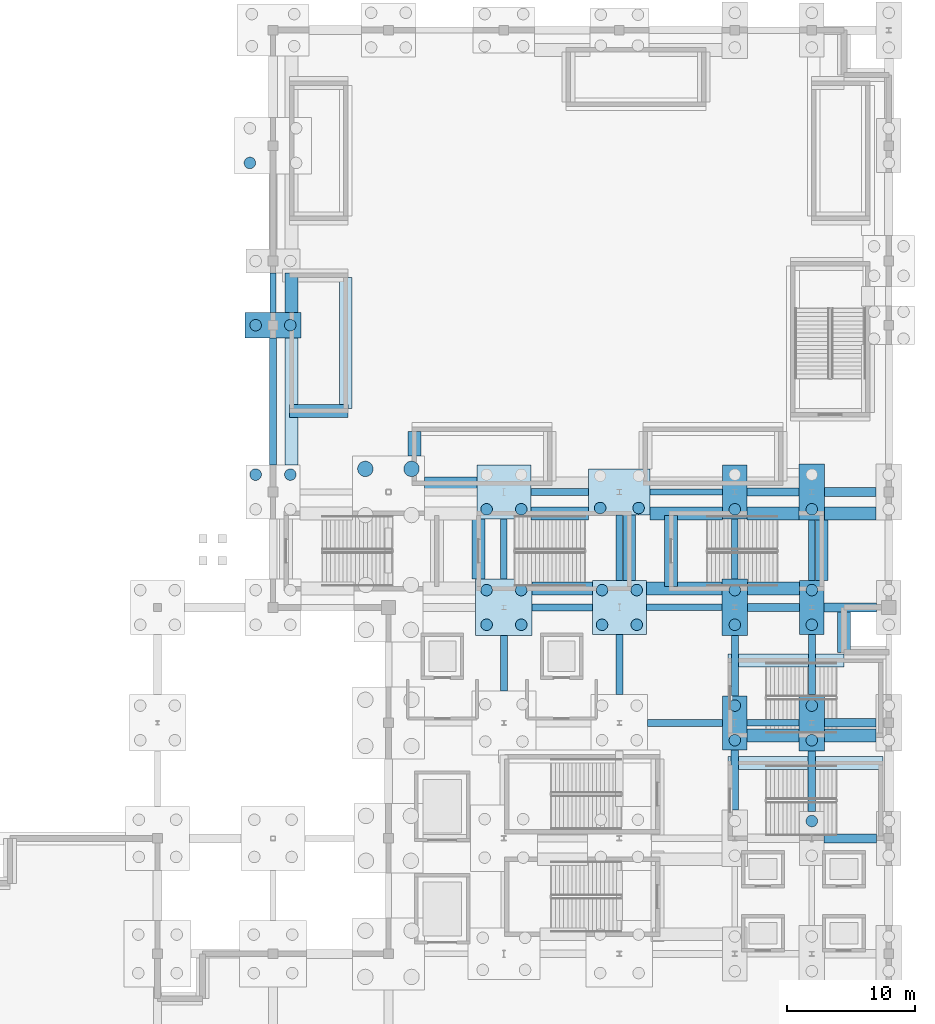
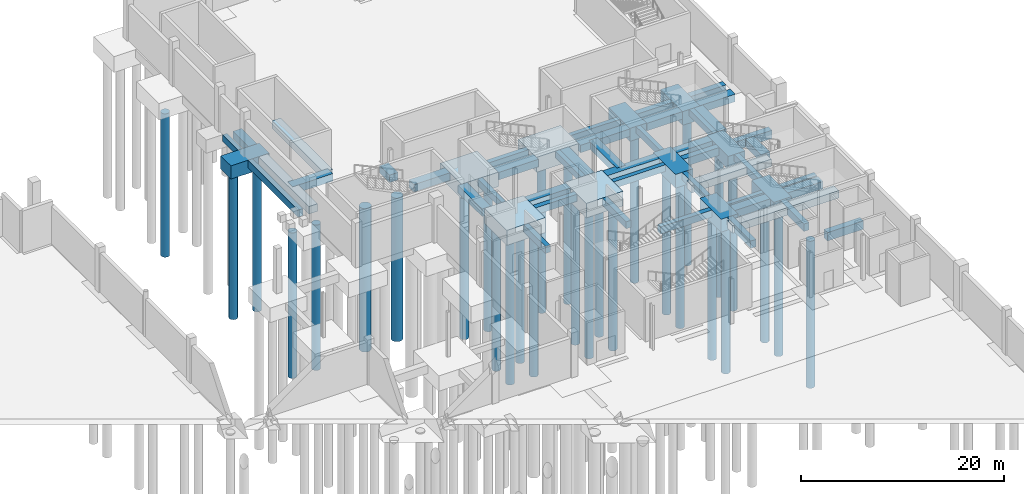
# One storey, part 9 of 58: 57 footings, 30 piles.
"""IFC4 building model written with IfcOpenShell, lengths in metres."""

from ifc_helpers import new_model, si_unit, direction, frame, origin, origin_2d, place, context, subcontext, project, spatial, rectangle, circle, extrude, material, material_profile, profile_set, type_object, element, save


model = new_model("IFC4")

# Units and contexts
model_context = context("Model", 3, precision=1e-05, world=origin(), true_north=direction((0.0, 1.0)))
body_context = subcontext(model_context, "Body", "Model", "MODEL_VIEW")
ifc_project = project(units=[si_unit("LENGTHUNIT", "METRE"), si_unit("AREAUNIT", "SQUARE_METRE"), si_unit("VOLUMEUNIT", "CUBIC_METRE"), si_unit("PLANEANGLEUNIT", "RADIAN"), si_unit("MASSUNIT", "GRAM", prefix="KILO")], contexts=[model_context])

# Site, building, storey
site_placement = place(None, origin())
site = spatial("IfcSite", under=ifc_project, at=site_placement, CompositionType="ELEMENT")
building_placement = place(site_placement, origin())
building = spatial("IfcBuilding", under=site, at=building_placement, Name="Qamarlyn Nura Convention Centre", CompositionType="ELEMENT")
storey_placement = place(building_placement, frame((0.0, 0.0, -5.39990234375)))
storey = spatial("IfcBuildingStorey", under=building, at=storey_placement, Name="B01", CompositionType="ELEMENT", Elevation=-5.39990234375)

# Footings
ifc_material = material(Name="Concrete C40/50", Category="concrete")
ifc_material_profile_1 = material_profile(ifc_material, rectangle(XDim=0.5, YDim=0.800048828125, at=origin_2d()), Name="RC GB 500x800")
ifc_profile_set_1 = profile_set([ifc_material_profile_1], Name="Concrete C40/50")
footing_type_1 = type_object("IfcFootingType", Name="GB-500X800", PredefinedType="FOOTING_BEAM", material=ifc_profile_set_1)
footing_1_placement = place(storey_placement, frame((180.949951171875, 72.0, -0.400146484375), z_axis=(1.0, 0.0, 0.0), x_axis=(0.0, 1.0, 0.0)))
element("IfcFooting", 1, at=footing_1_placement, inside=storey, type_object=footing_type_1, Name="Ground tie beam J 16-17", PredefinedType="FOOTING_BEAM", context=body_context, shape_type="SweptSolid", body=[
    extrude(rectangle(XDim=0.5, YDim=0.800048828125, at=origin_2d()), origin(), (0.0, 0.0, 1.0), 4.050048828125),
])
footing_2_placement = place(storey_placement, frame((173.10009765625, 81.0, -0.400146484375), z_axis=(1.0, 0.0, 0.0), x_axis=(0.0, 1.0, 0.0)))
element("IfcFooting", 2, at=footing_2_placement, inside=storey, type_object=footing_type_1, Name="Ground tie beam K 15-16", PredefinedType="FOOTING_BEAM", context=body_context, shape_type="SweptSolid", body=[
    extrude(rectangle(XDim=0.5, YDim=0.800048828125, at=origin_2d()), origin(), (0.0, 0.0, 1.0), 5.89990234375),
])
footing_3_placement = place(storey_placement, frame((173.39990234375, 90.0, -0.400146484375), z_axis=(1.0, 0.0, 0.0), x_axis=(0.0, 1.0, 0.0)))
element("IfcFooting", 3, at=footing_3_placement, inside=storey, type_object=footing_type_1, Name="Ground tie beam L 15-16", PredefinedType="FOOTING_BEAM", context=body_context, shape_type="SweptSolid", body=[
    extrude(rectangle(XDim=0.5, YDim=0.800048828125, at=origin_2d()), origin(), (0.0, 0.0, 1.0), 5.650146484375),
])
footing_4_placement = place(storey_placement, frame((144.0, 104.0, -0.400146484375), z_axis=(0.0, 1.0, 0.0), x_axis=(-1.0, 0.0, 0.0)))
element("IfcFooting", 4, at=footing_4_placement, inside=storey, type_object=footing_type_1, Name="Ground tie beam 12 M-N", PredefinedType="FOOTING_BEAM", context=body_context, shape_type="SweptSolid", body=[
    extrude(rectangle(XDim=0.5, YDim=0.800048828125, at=origin_2d()), origin(), (0.0, 0.0, 1.0), 3.050048828125),
])
footing_5_placement = place(storey_placement, frame((162.0, 83.199951171875, -0.400146484375), z_axis=(0.0, 1.0, 0.0), x_axis=(-1.0, 0.0, 0.0)))
element("IfcFooting", 5, at=footing_5_placement, inside=storey, type_object=footing_type_1, Name="Ground tie beam 14 K-L", PredefinedType="FOOTING_BEAM", context=body_context, shape_type="SweptSolid", body=[
    extrude(rectangle(XDim=0.5, YDim=0.800048828125, at=origin_2d()), origin(), (0.0, 0.0, 1.0), 4.699951171875),
])
footing_6_placement = place(storey_placement, frame((171.0, 83.10009765625, -0.400146484375), z_axis=(0.0, 1.0, 0.0), x_axis=(-1.0, 0.0, 0.0)))
element("IfcFooting", 6, at=footing_6_placement, inside=storey, type_object=footing_type_1, Name="Ground tie beam 15 K-L", PredefinedType="FOOTING_BEAM", context=body_context, shape_type="SweptSolid", body=[
    extrude(rectangle(XDim=0.5, YDim=0.800048828125, at=origin_2d()), origin(), (0.0, 0.0, 1.0), 5.099853515625),
])
for number, where, z_axis, x_axis, name in (
    (7, (180.0, 83.199951171875, -0.400146484375), (0.0, 1.0, 0.0), (-1.0, 0.0, 0.0), "Ground tie beam 16 K-L"),
    (8, (186.0, 83.10009765625, -0.400146484375), (0.0, 1.0, 0.0), (-1.0, 0.0, 0.0), "Ground tie beam 17 K-L"),
):
    element("IfcFooting", number, at=place(storey_placement, frame(where, z_axis=z_axis, x_axis=x_axis)), inside=storey, type_object=footing_type_1, Name=name, PredefinedType="FOOTING_BEAM", context=body_context, shape_type="SweptSolid", body=[
        extrude(rectangle(XDim=0.5, YDim=0.800048828125, at=origin_2d()), origin(), (0.0, 0.0, 1.0), 4.699951171875),
    ])
ifc_material_profile_2 = material_profile(ifc_material, rectangle(XDim=0.550048828125, YDim=0.85009765625, at=origin_2d()), Name="RC GB 550x850")
ifc_profile_set_2 = profile_set([ifc_material_profile_2], Name="Concrete C40/50")
footing_type_2 = type_object("IfcFootingType", Name="GB-550X850", PredefinedType="FOOTING_BEAM", material=ifc_profile_set_2)
footing_7_placement = place(storey_placement, frame((173.199951171875, 72.0, -0.425048828125), z_axis=(1.0, 0.0, 0.0), x_axis=(0.0, 1.0, 0.0)))
element("IfcFooting", 9, at=footing_7_placement, inside=storey, type_object=footing_type_2, Name="Ground tie beam J 15-16", PredefinedType="FOOTING_BEAM", context=body_context, shape_type="SweptSolid", body=[
    extrude(rectangle(XDim=0.550048828125, YDim=0.85009765625, at=origin_2d()), origin(), (0.0, 0.0, 1.0), 5.85009765625),
])
footing_8_placement = place(storey_placement, frame((164.199951171875, 81.0, -0.425048828125), z_axis=(1.0, 0.0, 0.0), x_axis=(0.0, 1.0, 0.0)))
element("IfcFooting", 10, at=footing_8_placement, inside=storey, type_object=footing_type_2, Name="Ground tie beam K 14-15", PredefinedType="FOOTING_BEAM", context=body_context, shape_type="SweptSolid", body=[
    extrude(rectangle(XDim=0.550048828125, YDim=0.85009765625, at=origin_2d()), origin(), (0.0, 0.0, 1.0), 4.699951171875),
])
footing_9_placement = place(storey_placement, frame((164.10009765625, 90.0, -0.425048828125), z_axis=(1.0, 0.0, 0.0), x_axis=(0.0, 1.0, 0.0)))
element("IfcFooting", 11, at=footing_9_placement, inside=storey, type_object=footing_type_2, Name="Ground tie beam L 14-15", PredefinedType="FOOTING_BEAM", context=body_context, shape_type="SweptSolid", body=[
    extrude(rectangle(XDim=0.550048828125, YDim=0.85009765625, at=origin_2d()), origin(), (0.0, 0.0, 1.0), 4.5),
])
footing_10_placement = place(storey_placement, frame((144.0, 92.10009765625, -0.425048828125), z_axis=(0.0, 1.0, 0.0), x_axis=(-1.0, 0.0, 0.0)))
element("IfcFooting", 12, at=footing_10_placement, inside=storey, type_object=footing_type_2, Name="Ground tie beam 12 L-M", PredefinedType="FOOTING_BEAM", context=body_context, shape_type="SweptSolid", body=[
    extrude(rectangle(XDim=0.550048828125, YDim=0.85009765625, at=origin_2d()), origin(), (0.0, 0.0, 1.0), 9.89990234375),
])
footing_11_placement = place(storey_placement, frame((162.0, 74.5, -0.425048828125), z_axis=(0.0, 1.0, 0.0), x_axis=(-1.0, 0.0, 0.0)))
element("IfcFooting", 13, at=footing_11_placement, inside=storey, type_object=footing_type_2, Name="Ground tie beam 14 J-K", PredefinedType="FOOTING_BEAM", context=body_context, shape_type="SweptSolid", body=[
    extrude(rectangle(XDim=0.550048828125, YDim=0.85009765625, at=origin_2d()), origin(), (0.0, 0.0, 1.0), 4.300048828125),
])
for number, where, z_axis, x_axis, name in (
    (14, (171.0, 74.199951171875, -0.425048828125), (0.0, 1.0, 0.0), (-1.0, 0.0, 0.0), "Ground tie beam 15 J-K"),
    (15, (180.0, 74.10009765625, -0.425048828125), (0.0, 1.0, 0.0), (-1.0, 0.0, 0.0), "Ground tie beam 16 J-K"),
    (16, (186.0, 74.199951171875, -0.425048828125), (0.0, 1.0, 0.0), (-1.0, 0.0, 0.0), "Ground tie beam 17 J-K"),
):
    element("IfcFooting", number, at=place(storey_placement, frame(where, z_axis=z_axis, x_axis=x_axis)), inside=storey, type_object=footing_type_2, Name=name, PredefinedType="FOOTING_BEAM", context=body_context, shape_type="SweptSolid", body=[
        extrude(rectangle(XDim=0.550048828125, YDim=0.85009765625, at=origin_2d()), origin(), (0.0, 0.0, 1.0), 4.699951171875),
    ])
ifc_material_profile_3 = material_profile(ifc_material, rectangle(XDim=0.60009765625, YDim=0.89990234375, at=origin_2d()), Name="RC GB 600x900")
ifc_profile_set_3 = profile_set([ifc_material_profile_3], Name="Concrete C40/50")
footing_type_3 = type_object("IfcFootingType", Name="GB-600X900", PredefinedType="FOOTING_BEAM", material=ifc_profile_set_3)
for number, where, z_axis, x_axis, name in (
    (17, (180.0, 65.199951171875, -0.4501953125), (0.0, 1.0, 0.0), (-1.0, 0.0, 0.0), "Ground tie beam 16 H-J"),
    (18, (186.0, 65.10009765625, -0.4501953125), (0.0, 1.0, 0.0), (-1.0, 0.0, 0.0), "Ground tie beam 17 H-J"),
):
    element("IfcFooting", number, at=place(storey_placement, frame(where, z_axis=z_axis, x_axis=x_axis)), inside=storey, type_object=footing_type_3, Name=name, PredefinedType="FOOTING_BEAM", context=body_context, shape_type="SweptSolid", body=[
        extrude(rectangle(XDim=0.60009765625, YDim=0.89990234375, at=origin_2d()), origin(), (0.0, 0.0, 1.0), 4.699951171875),
    ])
ifc_material_profile_4 = material_profile(ifc_material, rectangle(XDim=0.64990234375, YDim=0.949951171875, at=origin_2d()), Name="RC GB 650x950")
ifc_profile_set_4 = profile_set([ifc_material_profile_4], Name="Concrete C40/50")
footing_type_4 = type_object("IfcFootingType", Name="GB-650X950", PredefinedType="FOOTING_BEAM", material=ifc_profile_set_4)
footing_12_placement = place(storey_placement, frame((187.0, 72.0, -0.47509765625), z_axis=(1.0, 0.0, 0.0), x_axis=(0.0, 1.0, 0.0)))
element("IfcFooting", 19, at=footing_12_placement, inside=storey, type_object=footing_type_4, Name="Ground tie beam J 17-18", PredefinedType="FOOTING_BEAM", context=body_context, shape_type="SweptSolid", body=[
    extrude(rectangle(XDim=0.64990234375, YDim=0.949951171875, at=origin_2d()), origin(), (0.0, 0.0, 1.0), 4.0),
])
for number, where, z_axis, x_axis, name in (
    (20, (181.0, 81.0, -0.47509765625), (1.0, 0.0, 0.0), (0.0, 1.0, 0.0), "Ground tie beam K 16-17"),
    (21, (180.949951171875, 90.0, -0.47509765625), (1.0, 0.0, 0.0), (0.0, 1.0, 0.0), "Ground tie beam L 16-17"),
):
    element("IfcFooting", number, at=place(storey_placement, frame(where, z_axis=z_axis, x_axis=x_axis)), inside=storey, type_object=footing_type_4, Name=name, PredefinedType="FOOTING_BEAM", context=body_context, shape_type="SweptSolid", body=[
        extrude(rectangle(XDim=0.64990234375, YDim=0.949951171875, at=origin_2d()), origin(), (0.0, 0.0, 1.0), 4.050048828125),
    ])
ifc_material_profile_5 = material_profile(ifc_material, rectangle(XDim=0.699951171875, YDim=1.0, at=origin_2d()), Name="RC GB 700x1000")
ifc_profile_set_5 = profile_set([ifc_material_profile_5], Name="Concrete C40/50")
footing_type_5 = type_object("IfcFootingType", Name="GB-700X1000", PredefinedType="FOOTING_BEAM", material=ifc_profile_set_5)
for number, where, z_axis, x_axis, name in (
    (22, (186.949951171875, 63.0, -0.5), (1.0, 0.0, 0.0), (0.0, 1.0, 0.0), "Ground tie beam H 17-18"),
    (23, (186.949951171875, 81.0, -0.5), (1.0, 0.0, 0.0), (0.0, 1.0, 0.0), "Ground tie beam K 17-18"),
):
    element("IfcFooting", number, at=place(storey_placement, frame(where, z_axis=z_axis, x_axis=x_axis)), inside=storey, type_object=footing_type_5, Name=name, PredefinedType="FOOTING_BEAM", context=body_context, shape_type="SweptSolid", body=[
        extrude(rectangle(XDim=0.699951171875, YDim=1.0, at=origin_2d()), origin(), (0.0, 0.0, 1.0), 4.10009765625),
    ])
footing_13_placement = place(storey_placement, frame((187.0, 90.0, -0.5), z_axis=(1.0, 0.0, 0.0), x_axis=(0.0, 1.0, 0.0)))
element("IfcFooting", 24, at=footing_13_placement, inside=storey, type_object=footing_type_5, Name="Ground tie beam L 17-18", PredefinedType="FOOTING_BEAM", context=body_context, shape_type="SweptSolid", body=[
    extrude(rectangle(XDim=0.699951171875, YDim=1.0, at=origin_2d()), origin(), (0.0, 0.0, 1.0), 4.0),
])
footing_type_6 = type_object("IfcFootingType", Name="PC-PAIR-19X42", PredefinedType="PILE_CAP", material=ifc_material)
for number, where, z_axis, x_axis, name in (
    (25, (180.0, 72.0, -1.55029296875), (0.0, 0.0, 1.0), (1.0, 0.0, 0.0), "Pile cap CAP-16-J"),
    (26, (180.0, 90.0, -1.55029296875), (0.0, 0.0, 1.0), (1.0, 0.0, 0.0), "Pile cap CAP-16-L"),
    (27, (186.0, 81.0, -1.55029296875), (0.0, 0.0, 1.0), (1.0, 0.0, 0.0), "Pile cap CAP-17-K"),
):
    element("IfcFooting", number, at=place(storey_placement, frame(where, z_axis=z_axis, x_axis=x_axis)), inside=storey, type_object=footing_type_6, Name=name, PredefinedType="PILE_CAP", context=body_context, shape_type="SweptSolid", body=[
        extrude(rectangle(XDim=1.89990234375, YDim=4.199951171875, at=origin_2d()), origin(), (0.0, 0.0, 1.0), 1.550048828125),
    ])
footing_type_7 = type_object("IfcFootingType", Name="PC-PAIR-20X44", PredefinedType="PILE_CAP", material=ifc_material)
for number, where, z_axis, x_axis, name in (
    (28, (180.0, 81.0, -1.650146484375), (0.0, 0.0, 1.0), (1.0, 0.0, 0.0), "Pile cap CAP-16-K"),
    (29, (186.0, 72.0, -1.650146484375), (0.0, 0.0, 1.0), (1.0, 0.0, 0.0), "Pile cap CAP-17-J"),
    (30, (186.0, 90.0, -1.650146484375), (0.0, 0.0, 1.0), (1.0, 0.0, 0.0), "Pile cap CAP-17-L"),
):
    element("IfcFooting", number, at=place(storey_placement, frame(where, z_axis=z_axis, x_axis=x_axis)), inside=storey, type_object=footing_type_7, Name=name, PredefinedType="PILE_CAP", context=body_context, shape_type="SweptSolid", body=[
        extrude(rectangle(XDim=2.0, YDim=4.39990234375, at=origin_2d()), origin(), (0.0, 0.0, 1.0), 1.64990234375),
    ])
footing_type_8 = type_object("IfcFootingType", Name="PC-PAIR-44X20", PredefinedType="PILE_CAP", material=ifc_material)
footing_14_placement = place(storey_placement, frame((144.0, 103.0, -1.60009765625), z_axis=(0.0, 0.0, 1.0), x_axis=(1.0, 0.0, 0.0)))
element("IfcFooting", 31, at=footing_14_placement, inside=storey, type_object=footing_type_8, Name="Pile cap CAP-12-M", PredefinedType="PILE_CAP", context=body_context, shape_type="SweptSolid", body=[
    extrude(rectangle(XDim=4.39990234375, YDim=2.0, at=origin_2d()), origin(), (0.0, 0.0, 1.0), 1.60009765625),
])
footing_type_9 = type_object("IfcFootingType", Name="PC-RECT-48X36", PredefinedType="PILE_CAP", material=ifc_material)
footing_15_placement = place(storey_placement, frame((171.0, 90.0, -1.80029296875), z_axis=(0.0, 0.0, 1.0), x_axis=(1.0, 0.0, 0.0)))
element("IfcFooting", 32, at=footing_15_placement, inside=storey, type_object=footing_type_9, Name="Pile cap CAP-15-L", PredefinedType="PILE_CAP", context=body_context, shape_type="SweptSolid", body=[
    extrude(rectangle(XDim=4.800048828125, YDim=3.60009765625, at=origin_2d()), origin(), (0.0, 0.0, 1.0), 1.800048828125),
])
footing_type_10 = type_object("IfcFootingType", Name="PC-WING-42", PredefinedType="PILE_CAP", material=ifc_material)
for number, where, z_axis, x_axis, name in (
    (33, (162.0, 90.0, -1.75), (0.0, 0.0, 1.0), (1.0, 0.0, 0.0), "Pile cap CAP-14-L"),
    (34, (171.0, 81.0, -1.75), (0.0, 0.0, 1.0), (1.0, 0.0, 0.0), "Pile cap CAP-15-K"),
):
    element("IfcFooting", number, at=place(storey_placement, frame(where, z_axis=z_axis, x_axis=x_axis)), inside=storey, type_object=footing_type_10, Name=name, PredefinedType="PILE_CAP", context=body_context, shape_type="SweptSolid", body=[
        extrude(rectangle(XDim=4.199951171875, YDim=4.199951171875, at=origin_2d()), origin(), (0.0, 0.0, 1.0), 1.75),
    ])
footing_type_11 = type_object("IfcFootingType", Name="PC-WING-44", PredefinedType="PILE_CAP", material=ifc_material)
footing_16_placement = place(storey_placement, frame((162.0, 81.0, -1.80029296875), z_axis=(0.0, 0.0, 1.0), x_axis=(1.0, 0.0, 0.0)))
element("IfcFooting", 35, at=footing_16_placement, inside=storey, type_object=footing_type_11, Name="Pile cap CAP-14-K", PredefinedType="PILE_CAP", context=body_context, shape_type="SweptSolid", body=[
    extrude(rectangle(XDim=4.39990234375, YDim=4.39990234375, at=origin_2d()), origin(), (0.0, 0.0, 1.0), 1.800048828125),
])

# Piles
ifc_material_profile_6 = material_profile(ifc_material, circle(Radius=0.60009765625, at=origin_2d()), Name="BORED PILE 1200")
ifc_profile_set_6 = profile_set([ifc_material_profile_6], Name="Concrete C40/50")
pile_type_1 = type_object("IfcPileType", Name="PILE-1200", PredefinedType="BORED", material=ifc_profile_set_6)
for number, where, z_axis, x_axis, name in (
    (36, (151.199951171875, 91.800048828125, -1.85009765625), (0.0, 0.0, -1.0), (1.0, 0.0, 0.0), "Bored pile PILE-13-L-3"),
    (37, (154.800048828125, 91.800048828125, -1.85009765625), (0.0, 0.0, -1.0), (1.0, 0.0, 0.0), "Bored pile PILE-13-L-4"),
):
    element("IfcPile", number, at=place(storey_placement, frame(where, z_axis=z_axis, x_axis=x_axis)), inside=storey, type_object=pile_type_1, Name=name, PredefinedType="BORED", context=body_context, shape_type="SweptSolid", body=[
        extrude(circle(Radius=0.60009765625, at=origin_2d()), origin(), (0.0, 0.0, 1.0), 17.25),
    ])
ifc_material_profile_7 = material_profile(ifc_material, circle(Radius=0.449951171875, at=origin_2d()), Name="BORED PILE 900")
ifc_profile_set_7 = profile_set([ifc_material_profile_7], Name="Concrete C40/50")
pile_type_2 = type_object("IfcPileType", Name="PILE-900", PredefinedType="BORED", material=ifc_profile_set_7)
for number, where, z_axis, x_axis, name in (
    (38, (142.64990234375, 91.35009765625, -1.60009765625), (0.0, 0.0, -1.0), (1.0, 0.0, 0.0), "Bored pile PILE-12-L-3"),
    (39, (145.35009765625, 91.35009765625, -1.60009765625), (0.0, 0.0, -1.0), (1.0, 0.0, 0.0), "Bored pile PILE-12-L-4"),
):
    element("IfcPile", number, at=place(storey_placement, frame(where, z_axis=z_axis, x_axis=x_axis)), inside=storey, type_object=pile_type_2, Name=name, PredefinedType="BORED", context=body_context, shape_type="SweptSolid", body=[
        extrude(circle(Radius=0.449951171875, at=origin_2d()), origin(), (0.0, 0.0, 1.0), 17.5),
    ])
for number, where, z_axis, x_axis, name in (
    (40, (142.64990234375, 103.0, -1.4501953125), (0.0, 0.0, -1.0), (1.0, 0.0, 0.0), "Bored pile PILE-12-M-1"),
    (41, (145.35009765625, 103.0, -1.4501953125), (0.0, 0.0, -1.0), (1.0, 0.0, 0.0), "Bored pile PILE-12-M-2"),
):
    element("IfcPile", number, at=place(storey_placement, frame(where, z_axis=z_axis, x_axis=x_axis)), inside=storey, type_object=pile_type_2, Name=name, PredefinedType="BORED", context=body_context, shape_type="SweptSolid", body=[
        extrude(circle(Radius=0.449951171875, at=origin_2d()), origin(), (0.0, 0.0, 1.0), 17.64990234375),
    ])
pile_1_placement = place(storey_placement, frame((142.199951171875, 115.64990234375, -1.85009765625), z_axis=(0.0, 0.0, -1.0), x_axis=(1.0, 0.0, 0.0)))
element("IfcPile", 42, at=pile_1_placement, inside=storey, type_object=pile_type_2, Name="Bored pile PILE-12-P-1", PredefinedType="BORED", context=body_context, shape_type="SweptSolid", body=[
    extrude(circle(Radius=0.449951171875, at=origin_2d()), origin(), (0.0, 0.0, 1.0), 17.25),
])
for number, where, z_axis, x_axis, name in (
    (43, (160.64990234375, 79.64990234375, -1.650146484375), (0.0, 0.0, -1.0), (1.0, 0.0, 0.0), "Bored pile PILE-14-K-1"),
    (44, (163.35009765625, 79.64990234375, -1.650146484375), (0.0, 0.0, -1.0), (1.0, 0.0, 0.0), "Bored pile PILE-14-K-2"),
    (45, (160.64990234375, 82.35009765625, -1.650146484375), (0.0, 0.0, -1.0), (1.0, 0.0, 0.0), "Bored pile PILE-14-K-3"),
    (46, (163.35009765625, 82.35009765625, -1.650146484375), (0.0, 0.0, -1.0), (1.0, 0.0, 0.0), "Bored pile PILE-14-K-4"),
):
    element("IfcPile", number, at=place(storey_placement, frame(where, z_axis=z_axis, x_axis=x_axis)), inside=storey, type_object=pile_type_2, Name=name, PredefinedType="BORED", context=body_context, shape_type="SweptSolid", body=[
        extrude(circle(Radius=0.449951171875, at=origin_2d()), origin(), (0.0, 0.0, 1.0), 17.449951171875),
    ])
for number, where, z_axis, x_axis, name in (
    (47, (160.64990234375, 88.64990234375, -1.60009765625), (0.0, 0.0, -1.0), (1.0, 0.0, 0.0), "Bored pile PILE-14-L-1"),
    (48, (163.35009765625, 88.64990234375, -1.60009765625), (0.0, 0.0, -1.0), (1.0, 0.0, 0.0), "Bored pile PILE-14-L-2"),
    (49, (169.64990234375, 79.64990234375, -1.60009765625), (0.0, 0.0, -1.0), (1.0, 0.0, 0.0), "Bored pile PILE-15-K-1"),
    (50, (172.35009765625, 79.64990234375, -1.60009765625), (0.0, 0.0, -1.0), (1.0, 0.0, 0.0), "Bored pile PILE-15-K-2"),
    (51, (169.64990234375, 82.35009765625, -1.60009765625), (0.0, 0.0, -1.0), (1.0, 0.0, 0.0), "Bored pile PILE-15-K-3"),
    (52, (172.35009765625, 82.35009765625, -1.60009765625), (0.0, 0.0, -1.0), (1.0, 0.0, 0.0), "Bored pile PILE-15-K-4"),
):
    element("IfcPile", number, at=place(storey_placement, frame(where, z_axis=z_axis, x_axis=x_axis)), inside=storey, type_object=pile_type_2, Name=name, PredefinedType="BORED", context=body_context, shape_type="SweptSolid", body=[
        extrude(circle(Radius=0.449951171875, at=origin_2d()), origin(), (0.0, 0.0, 1.0), 17.5),
    ])
for number, where, z_axis, x_axis, name in (
    (53, (169.5, 88.75, -1.650146484375), (0.0, 0.0, -1.0), (1.0, 0.0, 0.0), "Bored pile PILE-15-L-1"),
    (54, (172.5, 88.75, -1.650146484375), (0.0, 0.0, -1.0), (1.0, 0.0, 0.0), "Bored pile PILE-15-L-2"),
):
    element("IfcPile", number, at=place(storey_placement, frame(where, z_axis=z_axis, x_axis=x_axis)), inside=storey, type_object=pile_type_2, Name=name, PredefinedType="BORED", context=body_context, shape_type="SweptSolid", body=[
        extrude(circle(Radius=0.449951171875, at=origin_2d()), origin(), (0.0, 0.0, 1.0), 17.449951171875),
    ])
for number, where, z_axis, x_axis, name in (
    (55, (180.0, 70.64990234375, -1.400146484375), (0.0, 0.0, -1.0), (1.0, 0.0, 0.0), "Bored pile PILE-16-J-1"),
    (56, (180.0, 73.35009765625, -1.400146484375), (0.0, 0.0, -1.0), (1.0, 0.0, 0.0), "Bored pile PILE-16-J-2"),
):
    element("IfcPile", number, at=place(storey_placement, frame(where, z_axis=z_axis, x_axis=x_axis)), inside=storey, type_object=pile_type_2, Name=name, PredefinedType="BORED", context=body_context, shape_type="SweptSolid", body=[
        extrude(circle(Radius=0.449951171875, at=origin_2d()), origin(), (0.0, 0.0, 1.0), 17.699951171875),
    ])
for number, where, z_axis, x_axis, name in (
    (57, (180.0, 79.64990234375, -1.5), (0.0, 0.0, -1.0), (1.0, 0.0, 0.0), "Bored pile PILE-16-K-1"),
    (58, (180.0, 82.35009765625, -1.5), (0.0, 0.0, -1.0), (1.0, 0.0, 0.0), "Bored pile PILE-16-K-2"),
):
    element("IfcPile", number, at=place(storey_placement, frame(where, z_axis=z_axis, x_axis=x_axis)), inside=storey, type_object=pile_type_2, Name=name, PredefinedType="BORED", context=body_context, shape_type="SweptSolid", body=[
        extrude(circle(Radius=0.449951171875, at=origin_2d()), origin(), (0.0, 0.0, 1.0), 17.60009765625),
    ])
for number, where, z_axis, x_axis, name in (
    (59, (180.0, 88.64990234375, -1.400146484375), (0.0, 0.0, -1.0), (1.0, 0.0, 0.0), "Bored pile PILE-16-L-1"),
    (60, (186.0, 64.35009765625, -1.400146484375), (0.0, 0.0, -1.0), (1.0, 0.0, 0.0), "Bored pile PILE-17-H-2"),
):
    element("IfcPile", number, at=place(storey_placement, frame(where, z_axis=z_axis, x_axis=x_axis)), inside=storey, type_object=pile_type_2, Name=name, PredefinedType="BORED", context=body_context, shape_type="SweptSolid", body=[
        extrude(circle(Radius=0.449951171875, at=origin_2d()), origin(), (0.0, 0.0, 1.0), 17.699951171875),
    ])
for number, where, z_axis, x_axis, name in (
    (61, (186.0, 70.64990234375, -1.5), (0.0, 0.0, -1.0), (1.0, 0.0, 0.0), "Bored pile PILE-17-J-1"),
    (62, (186.0, 73.35009765625, -1.5), (0.0, 0.0, -1.0), (1.0, 0.0, 0.0), "Bored pile PILE-17-J-2"),
):
    element("IfcPile", number, at=place(storey_placement, frame(where, z_axis=z_axis, x_axis=x_axis)), inside=storey, type_object=pile_type_2, Name=name, PredefinedType="BORED", context=body_context, shape_type="SweptSolid", body=[
        extrude(circle(Radius=0.449951171875, at=origin_2d()), origin(), (0.0, 0.0, 1.0), 17.60009765625),
    ])
for number, where, z_axis, x_axis, name in (
    (63, (186.0, 79.64990234375, -1.400146484375), (0.0, 0.0, -1.0), (1.0, 0.0, 0.0), "Bored pile PILE-17-K-1"),
    (64, (186.0, 82.35009765625, -1.400146484375), (0.0, 0.0, -1.0), (1.0, 0.0, 0.0), "Bored pile PILE-17-K-2"),
):
    element("IfcPile", number, at=place(storey_placement, frame(where, z_axis=z_axis, x_axis=x_axis)), inside=storey, type_object=pile_type_2, Name=name, PredefinedType="BORED", context=body_context, shape_type="SweptSolid", body=[
        extrude(circle(Radius=0.449951171875, at=origin_2d()), origin(), (0.0, 0.0, 1.0), 17.699951171875),
    ])
pile_2_placement = place(storey_placement, frame((186.0, 88.64990234375, -1.5), z_axis=(0.0, 0.0, -1.0), x_axis=(1.0, 0.0, 0.0)))
element("IfcPile", 65, at=pile_2_placement, inside=storey, type_object=pile_type_2, Name="Bored pile PILE-17-L-1", PredefinedType="BORED", context=body_context, shape_type="SweptSolid", body=[
    extrude(circle(Radius=0.449951171875, at=origin_2d()), origin(), (0.0, 0.0, 1.0), 17.60009765625),
])

# Footings
ifc_material_profile_8 = material_profile(ifc_material, rectangle(XDim=1.0, YDim=0.89990234375, at=origin_2d()), Name="RC STRIP 1000x900")
ifc_profile_set_8 = profile_set([ifc_material_profile_8], Name="Concrete C40/50")
footing_type_12 = type_object("IfcFootingType", Name="SF-WALL-1000", PredefinedType="STRIP_FOOTING", material=ifc_profile_set_8)
footing_17_placement = place(storey_placement, frame((188.5, 81.0, -0.4501953125), z_axis=(0.0, -1.0, 0.0), x_axis=(1.0, 0.0, 0.0)))
element("IfcFooting", 66, at=footing_17_placement, inside=storey, type_object=footing_type_12, Name="Strip footing WRET-B01-67-1", PredefinedType="STRIP_FOOTING", context=body_context, shape_type="SweptSolid", body=[
    extrude(rectangle(XDim=1.0, YDim=0.89990234375, at=origin_2d()), origin(), (0.0, 0.0, 1.0), 3.5),
])
footing_18_placement = place(storey_placement, frame((191.550048828125, 68.875, -0.4501953125), z_axis=(-1.0, 0.0, 0.0), x_axis=(0.0, -1.0, 0.0)))
element("IfcFooting", 67, at=footing_18_placement, inside=storey, type_object=footing_type_12, Name="Strip footing WST-ST-13-B01-N-1", PredefinedType="STRIP_FOOTING", context=body_context, shape_type="SweptSolid", body=[
    extrude(rectangle(XDim=1.0, YDim=0.89990234375, at=origin_2d()), origin(), (0.0, 0.0, 1.0), 12.10009765625),
])
footing_19_placement = place(storey_placement, frame((180.949951171875, 71.02490234375, -0.4501953125), z_axis=(1.0, 0.0, 0.0), x_axis=(0.0, 1.0, 0.0)))
element("IfcFooting", 68, at=footing_19_placement, inside=storey, type_object=footing_type_12, Name="Strip footing WST-ST-14-B01-S-1", PredefinedType="STRIP_FOOTING", context=body_context, shape_type="SweptSolid", body=[
    extrude(rectangle(XDim=1.0, YDim=0.89990234375, at=origin_2d()), origin(), (0.0, 0.0, 1.0), 4.050048828125),
])
footing_20_placement = place(storey_placement, frame((187.0, 71.02490234375, -0.4501953125), z_axis=(1.0, 0.0, 0.0), x_axis=(0.0, 1.0, 0.0)))
element("IfcFooting", 69, at=footing_20_placement, inside=storey, type_object=footing_type_12, Name="Strip footing WST-ST-14-B01-S-2", PredefinedType="STRIP_FOOTING", context=body_context, shape_type="SweptSolid", body=[
    extrude(rectangle(XDim=1.0, YDim=0.89990234375, at=origin_2d()), origin(), (0.0, 0.0, 1.0), 4.0),
])
footing_21_placement = place(storey_placement, frame((188.5, 76.875, -0.4501953125), z_axis=(-1.0, 0.0, 0.0), x_axis=(0.0, -1.0, 0.0)))
element("IfcFooting", 70, at=footing_21_placement, inside=storey, type_object=footing_type_12, Name="Strip footing WST-ST-14-B01-N-1", PredefinedType="STRIP_FOOTING", context=body_context, shape_type="SweptSolid", body=[
    extrude(rectangle(XDim=1.0, YDim=0.89990234375, at=origin_2d()), origin(), (0.0, 0.0, 1.0), 9.050048828125),
])
footing_22_placement = place(storey_placement, frame((164.199951171875, 82.47509765625, -0.4501953125), z_axis=(1.0, 0.0, 0.0), x_axis=(0.0, 1.0, 0.0)))
element("IfcFooting", 71, at=footing_22_placement, inside=storey, type_object=footing_type_12, Name="Strip footing WST-ST-16-B01-S-1", PredefinedType="STRIP_FOOTING", context=body_context, shape_type="SweptSolid", body=[
    extrude(rectangle(XDim=1.0, YDim=0.89990234375, at=origin_2d()), origin(), (0.0, 0.0, 1.0), 4.699951171875),
])
footing_23_placement = place(storey_placement, frame((168.60009765625, 88.324951171875, -0.4501953125), z_axis=(-1.0, 0.0, 0.0), x_axis=(0.0, -1.0, 0.0)))
element("IfcFooting", 72, at=footing_23_placement, inside=storey, type_object=footing_type_12, Name="Strip footing WST-ST-16-B01-N-1", PredefinedType="STRIP_FOOTING", context=body_context, shape_type="SweptSolid", body=[
    extrude(rectangle(XDim=1.0, YDim=0.89990234375, at=origin_2d()), origin(), (0.0, 0.0, 1.0), 4.5),
])
footing_24_placement = place(storey_placement, frame((160.02490234375, 87.89990234375, -0.4501953125), z_axis=(0.0, -1.0, 0.0), x_axis=(1.0, 0.0, 0.0)))
element("IfcFooting", 73, at=footing_24_placement, inside=storey, type_object=footing_type_12, Name="Strip footing WST-ST-16-B01-W-1", PredefinedType="STRIP_FOOTING", context=body_context, shape_type="SweptSolid", body=[
    extrude(rectangle(XDim=1.0, YDim=0.89990234375, at=origin_2d()), origin(), (0.0, 0.0, 1.0), 4.699951171875),
])
footing_25_placement = place(storey_placement, frame((171.77490234375, 83.10009765625, -0.4501953125), z_axis=(0.0, 1.0, 0.0), x_axis=(-1.0, 0.0, 0.0)))
element("IfcFooting", 74, at=footing_25_placement, inside=storey, type_object=footing_type_12, Name="Strip footing WST-ST-16-B01-E-1", PredefinedType="STRIP_FOOTING", context=body_context, shape_type="SweptSolid", body=[
    extrude(rectangle(XDim=1.0, YDim=0.89990234375, at=origin_2d()), origin(), (0.0, 0.0, 1.0), 5.099853515625),
])
footing_26_placement = place(storey_placement, frame((173.10009765625, 82.47509765625, -0.4501953125), z_axis=(1.0, 0.0, 0.0), x_axis=(0.0, 1.0, 0.0)))
element("IfcFooting", 75, at=footing_26_placement, inside=storey, type_object=footing_type_12, Name="Strip footing WST-ST-17-B01-S-1", PredefinedType="STRIP_FOOTING", context=body_context, shape_type="SweptSolid", body=[
    extrude(rectangle(XDim=1.0, YDim=0.89990234375, at=origin_2d()), origin(), (0.0, 0.0, 1.0), 5.89990234375),
])
footing_27_placement = place(storey_placement, frame((181.0, 82.47509765625, -0.4501953125), z_axis=(1.0, 0.0, 0.0), x_axis=(0.0, 1.0, 0.0)))
element("IfcFooting", 76, at=footing_27_placement, inside=storey, type_object=footing_type_12, Name="Strip footing WST-ST-17-B01-S-2", PredefinedType="STRIP_FOOTING", context=body_context, shape_type="SweptSolid", body=[
    extrude(rectangle(XDim=1.0, YDim=0.89990234375, at=origin_2d()), origin(), (0.0, 0.0, 1.0), 4.050048828125),
])
footing_28_placement = place(storey_placement, frame((191.0, 88.324951171875, -0.4501953125), z_axis=(-1.0, 0.0, 0.0), x_axis=(0.0, -1.0, 0.0)))
element("IfcFooting", 77, at=footing_28_placement, inside=storey, type_object=footing_type_12, Name="Strip footing WST-ST-17-B01-N-1", PredefinedType="STRIP_FOOTING", context=body_context, shape_type="SweptSolid", body=[
    extrude(rectangle(XDim=1.0, YDim=0.89990234375, at=origin_2d()), origin(), (0.0, 0.0, 1.0), 4.0),
])
footing_29_placement = place(storey_placement, frame((185.0, 88.324951171875, -0.4501953125), z_axis=(-1.0, 0.0, 0.0), x_axis=(0.0, -1.0, 0.0)))
element("IfcFooting", 78, at=footing_29_placement, inside=storey, type_object=footing_type_12, Name="Strip footing WST-ST-17-B01-N-2", PredefinedType="STRIP_FOOTING", context=body_context, shape_type="SweptSolid", body=[
    extrude(rectangle(XDim=1.0, YDim=0.89990234375, at=origin_2d()), origin(), (0.0, 0.0, 1.0), 4.050048828125),
])
footing_30_placement = place(storey_placement, frame((179.050048828125, 88.324951171875, -0.4501953125), z_axis=(-1.0, 0.0, 0.0), x_axis=(0.0, -1.0, 0.0)))
element("IfcFooting", 79, at=footing_30_placement, inside=storey, type_object=footing_type_12, Name="Strip footing WST-ST-17-B01-N-3", PredefinedType="STRIP_FOOTING", context=body_context, shape_type="SweptSolid", body=[
    extrude(rectangle(XDim=1.0, YDim=0.89990234375, at=origin_2d()), origin(), (0.0, 0.0, 1.0), 5.650146484375),
])
footing_31_placement = place(storey_placement, frame((175.02490234375, 88.14990234375, -0.4501953125), z_axis=(0.0, -1.0, 0.0), x_axis=(1.0, 0.0, 0.0)))
element("IfcFooting", 80, at=footing_31_placement, inside=storey, type_object=footing_type_12, Name="Strip footing WST-ST-17-B01-W-1", PredefinedType="STRIP_FOOTING", context=body_context, shape_type="SweptSolid", body=[
    extrude(rectangle(XDim=1.0, YDim=0.89990234375, at=origin_2d()), origin(), (0.0, 0.0, 1.0), 5.5),
])
footing_32_placement = place(storey_placement, frame((186.77490234375, 83.10009765625, -0.4501953125), z_axis=(0.0, 1.0, 0.0), x_axis=(-1.0, 0.0, 0.0)))
element("IfcFooting", 81, at=footing_32_placement, inside=storey, type_object=footing_type_12, Name="Strip footing WST-ST-17-B01-E-1", PredefinedType="STRIP_FOOTING", context=body_context, shape_type="SweptSolid", body=[
    extrude(rectangle(XDim=1.0, YDim=0.89990234375, at=origin_2d()), origin(), (0.0, 0.0, 1.0), 4.699951171875),
])
footing_33_placement = place(storey_placement, frame((145.27001953125, 96.324951171875, -0.4501953125), z_axis=(1.0, 0.0, 0.0), x_axis=(0.0, 1.0, 0.0)))
element("IfcFooting", 82, at=footing_33_placement, inside=storey, type_object=footing_type_12, Name="Strip footing WST-ST-VOM1-B01-S-1", PredefinedType="STRIP_FOOTING", context=body_context, shape_type="SweptSolid", body=[
    extrude(rectangle(XDim=1.0, YDim=0.89990234375, at=origin_2d()), origin(), (0.0, 0.0, 1.0), 4.580078125),
])
footing_34_placement = place(storey_placement, frame((145.445068359375, 107.050048828125, -0.4501953125), z_axis=(0.0, -1.0, 0.0), x_axis=(1.0, 0.0, 0.0)))
element("IfcFooting", 83, at=footing_34_placement, inside=storey, type_object=footing_type_12, Name="Strip footing WST-ST-VOM1-B01-W-1", PredefinedType="STRIP_FOOTING", context=body_context, shape_type="SweptSolid", body=[
    extrude(rectangle(XDim=1.0, YDim=0.89990234375, at=origin_2d()), origin(), (0.0, 0.0, 1.0), 3.050048828125),
])
footing_35_placement = place(storey_placement, frame((145.445068359375, 102.0, -0.4501953125), z_axis=(0.0, -1.0, 0.0), x_axis=(1.0, 0.0, 0.0)))
element("IfcFooting", 84, at=footing_35_placement, inside=storey, type_object=footing_type_12, Name="Strip footing WST-ST-VOM1-B01-W-2", PredefinedType="STRIP_FOOTING", context=body_context, shape_type="SweptSolid", body=[
    extrude(rectangle(XDim=1.0, YDim=0.89990234375, at=origin_2d()), origin(), (0.0, 0.0, 1.0), 9.89990234375),
])
footing_36_placement = place(storey_placement, frame((149.675048828125, 96.5, -0.4501953125), z_axis=(0.0, 1.0, 0.0), x_axis=(-1.0, 0.0, 0.0)))
element("IfcFooting", 85, at=footing_36_placement, inside=storey, type_object=footing_type_12, Name="Strip footing WST-ST-VOM1-B01-E-1", PredefinedType="STRIP_FOOTING", context=body_context, shape_type="SweptSolid", body=[
    extrude(rectangle(XDim=1.0, YDim=0.89990234375, at=origin_2d()), origin(), (0.0, 0.0, 1.0), 10.199951171875),
])
footing_37_placement = place(storey_placement, frame((155.800048828125, 90.675048828125, -0.4501953125), z_axis=(1.0, 0.0, 0.0), x_axis=(0.0, 1.0, 0.0)))
element("IfcFooting", 86, at=footing_37_placement, inside=storey, type_object=footing_type_12, Name="Strip footing WST-ST-VOM3-B01-S-1", PredefinedType="STRIP_FOOTING", context=body_context, shape_type="SweptSolid", body=[
    extrude(rectangle(XDim=1.0, YDim=0.89990234375, at=origin_2d()), origin(), (0.0, 0.0, 1.0), 4.099853515625),
])
footing_38_placement = place(storey_placement, frame((155.02490234375, 94.72998046875, -0.4501953125), z_axis=(0.0, -1.0, 0.0), x_axis=(1.0, 0.0, 0.0)))
element("IfcFooting", 87, at=footing_38_placement, inside=storey, type_object=footing_type_12, Name="Strip footing WST-ST-VOM3-B01-W-1", PredefinedType="STRIP_FOOTING", context=body_context, shape_type="SweptSolid", body=[
    extrude(rectangle(XDim=1.0, YDim=0.89990234375, at=origin_2d()), origin(), (0.0, 0.0, 1.0), 1.929931640625),
])

save(model, "model.ifc")
